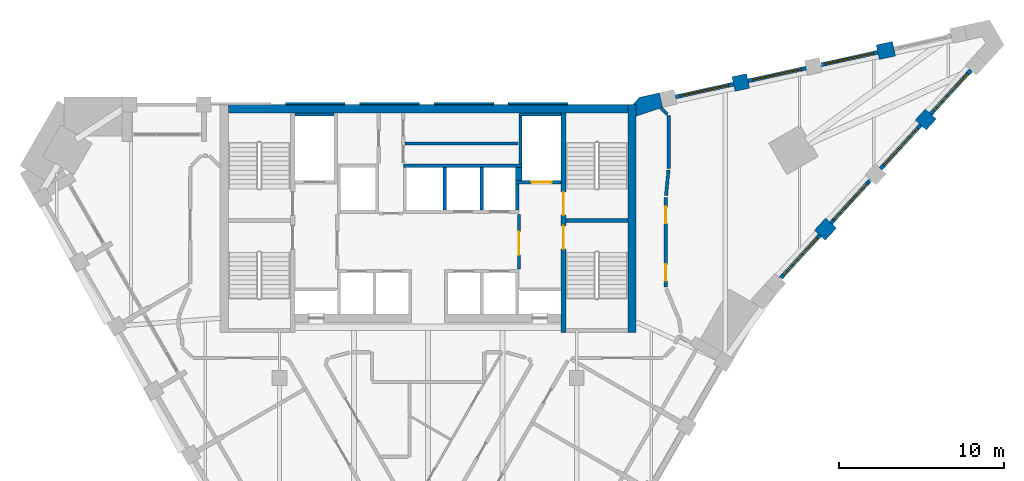
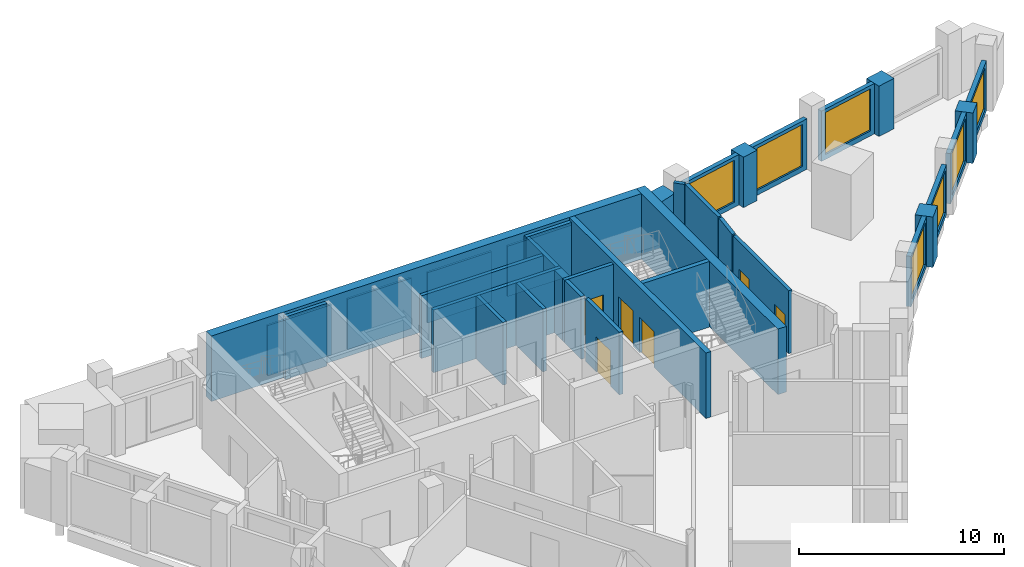
# One storey, part 6 of 8: 35 walls, 7 windows, 6 doors, 13 openings.
"""IFC4 building model written with IfcOpenShell, lengths in metres."""

from ifc_helpers import new_model, si_unit, direction, frame, frame_2d, origin, place, context, subcontext, project, spatial, polyline, rectangle, outline, extrude, material, layer, layer_set, type_object, element, fill, save


model = new_model("IFC4")

# Units and contexts
model_context = context("Model", 3, precision=1e-05, world=origin(), true_north=direction((0.0, 1.0)))
body_context = subcontext(model_context, "Body", "Model", "MODEL_VIEW")
ifc_project = project(units=[si_unit("LENGTHUNIT", "METRE"), si_unit("AREAUNIT", "SQUARE_METRE"), si_unit("VOLUMEUNIT", "CUBIC_METRE"), si_unit("PLANEANGLEUNIT", "RADIAN"), si_unit("MASSUNIT", "GRAM", prefix="KILO")], contexts=[model_context])

# Site, building, storey
site_placement = place(None, origin())
site = spatial("IfcSite", under=ifc_project, at=site_placement, CompositionType="ELEMENT")
building_placement = place(site_placement, origin())
building = spatial("IfcBuilding", under=site, at=building_placement, Name="Calabash Gate Tower", CompositionType="ELEMENT")
storey_placement = place(building_placement, frame((0.0, 0.0, 259.89990234375)))
storey = spatial("IfcBuildingStorey", under=building, at=storey_placement, Name="L62", CompositionType="ELEMENT", Elevation=259.89990234375)

# Walls
ifc_material_1 = material(Name="Terracotta brick masonry, exposed face", Category="masonry")
ifc_layer_1 = layer(ifc_material_1, 0.89990234375)
ifc_layer_set_1 = layer_set([ifc_layer_1], Name="Brick end wall 900")
wall_type_1 = type_object("IfcWallType", Name="Brick end wall 900", PredefinedType="SOLIDWALL", material=ifc_layer_set_1)
wall_1_placement = place(storey_placement, frame((23.728515625, 11.135009765625, 0.0), z_axis=(0.0, 0.0, 1.0), x_axis=(0.674788120713, 0.738011512203, 0.0)))
element("IfcWall", 1, at=wall_1_placement, inside=storey, type_object=wall_type_1, Name="Brick pier S18 wedge3.1", PredefinedType="SOLIDWALL", context=body_context, shape_type="SweptSolid", body=[
    extrude(rectangle(XDim=1.00390625, YDim=0.89990234375, at=frame_2d((0.501953125, 0.0))), origin(), (0.0, 0.0, 1.0), 3.0),
])
wall_2_placement = place(storey_placement, frame((30.44482421875, 18.47900390625, 0.0), z_axis=(0.0, 0.0, 1.0), x_axis=(-0.674938051731, -0.737874397391, 0.0)))
element("IfcWall", 2, at=wall_2_placement, inside=storey, type_object=wall_type_1, Name="Brick pier S18 wedge3.3", PredefinedType="SOLIDWALL", context=body_context, shape_type="SweptSolid", body=[
    extrude(rectangle(XDim=0.89990234375, YDim=0.89990234375, at=frame_2d((0.449951171875, 0.0))), origin(), (0.0, 0.0, 1.0), 3.0),
])
wall_3_placement = place(storey_placement, frame((28.21728515625, 22.436279296875, 0.0), z_axis=(0.0, 0.0, 1.0), x_axis=(-0.97656888558, -0.215205045752, 0.0)))
element("IfcWall", 3, at=wall_3_placement, inside=storey, type_object=wall_type_1, Name="Brick pier S18 wedge5.1", PredefinedType="SOLIDWALL", context=body_context, shape_type="SweptSolid", body=[
    extrude(rectangle(XDim=1.00390625, YDim=0.89990234375, at=frame_2d((0.501953125, 0.0))), origin(), (0.0, 0.0, 1.0), 3.0),
])
wall_4_placement = place(storey_placement, frame((18.4990234375, 20.2919921875, 0.0), z_axis=(0.0, 0.0, 1.0), x_axis=(0.976473402733, 0.215637876437, 0.0)))
element("IfcWall", 4, at=wall_4_placement, inside=storey, type_object=wall_type_1, Name="Brick pier S18 wedge5.3", PredefinedType="SOLIDWALL", context=body_context, shape_type="SweptSolid", body=[
    extrude(rectangle(XDim=0.900146484375, YDim=0.89990234375, at=frame_2d((0.4501953125, 0.0))), origin(), (0.0, 0.0, 1.0), 3.0),
])
wall_5_placement = place(storey_placement, origin())
element("IfcWall", 5, at=wall_5_placement, inside=storey, type_object=wall_type_1, Name="Brick end wall S18 3", PredefinedType="SOLIDWALL", context=body_context, shape_type="SweptSolid", body=[
    extrude(outline(polyline([(14.201416015625, 18.883056640625), (14.0078125, 19.761962890625), (12.784423828125, 19.491943359375), (12.410400390625, 19.052490234375), (12.60009765625, 19.052490234375), (12.60009765625, 18.351806640625), (14.201416015625, 18.883056640625)])), origin(), (0.0, 0.0, 1.0), 3.0),
])
ifc_material_2 = material(Name="Concrete C60/75", Category="concrete")
ifc_layer_2 = layer(ifc_material_2, 0.25)
ifc_layer_set_2 = layer_set([ifc_layer_2], Name="Core wall 250 Concrete C60/75")
wall_type_2 = type_object("IfcWallType", Name="Core wall 250 Concrete C60/75", PredefinedType="SHEAR", material=ifc_layer_set_2)
wall_6_placement = place(storey_placement, frame((8.35009765625, 12.027587890625, 0.0), z_axis=(0.0, 0.0, 1.0), x_axis=(1.0, 0.0, 0.0)))
element("IfcWall", 6, at=wall_6_placement, inside=storey, type_object=wall_type_2, Name="Core wall Z5-MIDE L62", PredefinedType="SHEAR", context=body_context, shape_type="SweptSolid", body=[
    extrude(rectangle(XDim=3.75, YDim=0.25, at=frame_2d((1.875, 0.0))), origin(), (0.0, 0.0, 1.0), 3.900146484375),
])

# Wall, openings, doors
ifc_material_3 = material(Name="Concrete C60/75", Category="concrete")
ifc_layer_3 = layer(ifc_material_3, 0.300048828125)
ifc_layer_set_3 = layer_set([ifc_layer_3], Name="Core wall 300 Concrete C60/75")
wall_type_3 = type_object("IfcWallType", Name="Core wall 300 Concrete C60/75", PredefinedType="SHEAR", material=ifc_layer_set_3)
wall_7_placement = place(storey_placement, frame((8.199951171875, 5.252685546875, 0.0), z_axis=(0.0, 0.0, 1.0), x_axis=(0.0, 1.0, 0.0)))
wall_7 = element("IfcWall", 7, at=wall_7_placement, inside=storey, type_object=wall_type_3, Name="Core wall Z5-PARTE L62", PredefinedType="SHEAR", context=body_context, shape_type="SweptSolid", body=[
    extrude(rectangle(XDim=13.2998046875, YDim=0.300048828125, at=frame_2d((6.64990234375, 0.0))), origin(), (0.0, 0.0, 1.0), 3.900146484375),
])
opening_1_placement = place(wall_7_placement, frame((7.10009765625, 0.0, 0.0)))
opening_1 = element("IfcOpeningElement", 8, at=opening_1_placement, cuts=wall_7, Name="Opening O10-011", PredefinedType="OPENING", context=body_context, shape_type="SweptSolid", body=[
    extrude(rectangle(XDim=1.39990234375, YDim=2.10009765625, at=frame_2d((0.699951171875, 1.050048828125))), frame((0.0, 0.159912109375, 0.0), z_axis=(0.0, -1.0, 0.0), x_axis=(1.0, 0.0, 0.0)), (0.0, 0.0, 1.0), 0.320068359375),
])
opening_2_placement = place(wall_7_placement, frame((5.050048828125, 0.0, 0.0)))
opening_2 = element("IfcOpeningElement", 9, at=opening_2_placement, cuts=wall_7, Name="Opening O10-012", PredefinedType="OPENING", context=body_context, shape_type="SweptSolid", body=[
    extrude(rectangle(XDim=1.39990234375, YDim=2.10009765625, at=frame_2d((0.699951171875, 1.050048828125))), frame((0.0, 0.159912109375, 0.0), z_axis=(0.0, -1.0, 0.0), x_axis=(1.0, 0.0, 0.0)), (0.0, 0.0, 1.0), 0.320068359375),
])
ifc_material_4 = material(Name="Steel fire door set with fire-resisting glazing", Category="steel")
door_type_1 = type_object("IfcDoorType", Name="Fire door D05 1400x2100 FD90", OperationType="NOTDEFINED", PredefinedType="DOOR", material=ifc_material_4)
door_1_placement = place(opening_1_placement, origin())
door_1 = element("IfcDoor", 10, at=door_1_placement, inside=storey, type_object=door_type_1, Name="Exit stair door ST3", OperationType="SINGLE_SWING_RIGHT", OverallHeight=2.10009765625, OverallWidth=1.39990234375, PredefinedType="DOOR", context=body_context, shape_type="SweptSolid", body=[
    extrude(rectangle(XDim=1.39990234375, YDim=2.10009765625, at=frame_2d((0.699951171875, 1.050048828125))), frame((0.0, 0.02490234375, 0.0), z_axis=(0.0, -1.0, 0.0), x_axis=(1.0, 0.0, 0.0)), (0.0, 0.0, 1.0), 0.050048828125),
])
fill(opening_1, door_1)
door_2_placement = place(opening_2_placement, origin())
door_2 = element("IfcDoor", 11, at=door_2_placement, inside=storey, type_object=door_type_1, Name="Exit stair door ST4", OperationType="SINGLE_SWING_LEFT", OverallHeight=2.10009765625, OverallWidth=1.39990234375, PredefinedType="DOOR", context=body_context, shape_type="SweptSolid", body=[
    extrude(rectangle(XDim=1.39990234375, YDim=2.10009765625, at=frame_2d((0.699951171875, 1.050048828125))), frame((0.0, 0.02490234375, 0.0), z_axis=(0.0, -1.0, 0.0), x_axis=(1.0, 0.0, 0.0)), (0.0, 0.0, 1.0), 0.050048828125),
])
fill(opening_2, door_2)

# Walls
ifc_material_5 = material(Name="Concrete C60/75", Category="concrete")
ifc_layer_4 = layer(ifc_material_5, 0.5)
ifc_layer_set_4 = layer_set([ifc_layer_4], Name="Core wall 500 Concrete C60/75")
wall_type_4 = type_object("IfcWallType", Name="Core wall 500 Concrete C60/75", PredefinedType="SHEAR", material=ifc_layer_set_4)
wall_8_placement = place(storey_placement, frame((-12.10009765625, 18.802490234375, 0.0), z_axis=(0.0, 0.0, 1.0), x_axis=(1.0, 0.0, 0.0)))
element("IfcWall", 12, at=wall_8_placement, inside=storey, type_object=wall_type_4, Name="Core wall Z5-N L62", PredefinedType="SHEAR", context=body_context, shape_type="SweptSolid", body=[
    extrude(rectangle(XDim=24.2001953125, YDim=0.5, at=frame_2d((12.10009765625, 0.0))), origin(), (0.0, 0.0, 1.0), 3.900146484375),
])
wall_9_placement = place(storey_placement, frame((12.35009765625, 5.252685546875, 0.0), z_axis=(0.0, 0.0, 1.0), x_axis=(0.0, 1.0, 0.0)))
element("IfcWall", 13, at=wall_9_placement, inside=storey, type_object=wall_type_4, Name="Core wall Z5-COLE L62", PredefinedType="SHEAR", context=body_context, shape_type="SweptSolid", body=[
    extrude(rectangle(XDim=13.7998046875, YDim=0.5, at=frame_2d((6.89990234375, 0.0))), origin(), (0.0, 0.0, 1.0), 3.900146484375),
])

# Wall, openings, doors
ifc_material_6 = material(Name="Gypsum board on steel studs, mineral wool", Category="steel")
ifc_layer_5 = layer(ifc_material_6, 0.199951171875)
ifc_layer_set_5 = layer_set([ifc_layer_5], Name="Partition 200 gypsum board EI 60")
wall_type_5 = type_object("IfcWallType", Name="Partition 200 gypsum board EI 60", PredefinedType="PARTITIONING", material=ifc_layer_set_5)
wall_10_placement = place(storey_placement, frame((14.400390625, 8.017333984375, 0.0), z_axis=(0.0, 0.0, 1.0), x_axis=(0.0, 1.0, 0.0)))
wall_10 = element("IfcWall", 14, at=wall_10_placement, inside=storey, type_object=wall_type_5, Name="Partition", PredefinedType="PARTITIONING", context=body_context, shape_type="SweptSolid", body=[
    extrude(rectangle(XDim=5.419189453125, YDim=0.199951171875, at=frame_2d((2.70947265625, 0.0))), origin(), (0.0, 0.0, 1.0), 3.72998046875),
])
opening_3_placement = place(wall_10_placement, frame((3.83544921875, 0.0, 0.0)))
opening_3 = element("IfcOpeningElement", 15, at=opening_3_placement, cuts=wall_10, Name="Opening 62-64-008", PredefinedType="OPENING", context=body_context, shape_type="SweptSolid", body=[
    extrude(rectangle(XDim=1.0, YDim=2.10009765625, at=frame_2d((0.5, 1.050048828125))), frame((0.0, 0.10986328125, 0.0), z_axis=(0.0, -1.0, 0.0), x_axis=(1.0, 0.0, 0.0)), (0.0, 0.0, 1.0), 0.219970703125),
])
opening_4_placement = place(wall_10_placement, frame((0.35009765625, 0.0, 0.0)))
opening_4 = element("IfcOpeningElement", 16, at=opening_4_placement, cuts=wall_10, Name="Opening 62-64-009", PredefinedType="OPENING", context=body_context, shape_type="SweptSolid", body=[
    extrude(rectangle(XDim=1.0, YDim=2.10009765625, at=frame_2d((0.5, 1.050048828125))), frame((0.0, 0.10986328125, 0.0), z_axis=(0.0, -1.0, 0.0), x_axis=(1.0, 0.0, 0.0)), (0.0, 0.0, 1.0), 0.219970703125),
])
ifc_material_7 = material(Name="Steel fire door set with fire-resisting glazing", Category="steel")
door_type_2 = type_object("IfcDoorType", Name="LD2 Meeting room door 1000x2100", OperationType="NOTDEFINED", PredefinedType="DOOR", material=ifc_material_7)
door_3_placement = place(opening_3_placement, origin())
door_3 = element("IfcDoor", 17, at=door_3_placement, inside=storey, type_object=door_type_2, Name="Meeting room door", OperationType="SINGLE_SWING_RIGHT", OverallHeight=2.10009765625, OverallWidth=1.0, PredefinedType="DOOR", context=body_context, shape_type="SweptSolid", body=[
    extrude(rectangle(XDim=1.0, YDim=2.10009765625, at=frame_2d((0.5, 1.050048828125))), frame((0.0, 0.02490234375, 0.0), z_axis=(0.0, -1.0, 0.0), x_axis=(1.0, 0.0, 0.0)), (0.0, 0.0, 1.0), 0.050048828125),
])
fill(opening_3, door_3)
door_4_placement = place(opening_4_placement, origin())
door_4 = element("IfcDoor", 18, at=door_4_placement, inside=storey, type_object=door_type_2, Name="Meeting room door", OperationType="SINGLE_SWING_LEFT", OverallHeight=2.10009765625, OverallWidth=1.0, PredefinedType="DOOR", context=body_context, shape_type="SweptSolid", body=[
    extrude(rectangle(XDim=1.0, YDim=2.10009765625, at=frame_2d((0.5, 1.050048828125))), frame((0.0, 0.02490234375, 0.0), z_axis=(0.0, -1.0, 0.0), x_axis=(1.0, 0.0, 0.0)), (0.0, 0.0, 1.0), 0.050048828125),
])
fill(opening_4, door_4)

# Walls
wall_11_placement = place(storey_placement, frame((14.409912109375, 13.5361328125, 0.0), z_axis=(0.0, 0.0, 1.0), x_axis=(0.094453682086, 0.9955292572, 0.0)))
element("IfcWall", 19, at=wall_11_placement, inside=storey, type_object=wall_type_5, Name="Partition", PredefinedType="PARTITIONING", context=body_context, shape_type="SweptSolid", body=[
    extrude(rectangle(XDim=1.555908203125, YDim=0.199951171875, at=frame_2d((0.77783203125, 0.0))), origin(), (0.0, 0.0, 1.0), 3.72998046875),
])
wall_12_placement = place(storey_placement, frame((14.566162109375, 18.392578125, 0.0), z_axis=(0.0, 0.0, 1.0), x_axis=(0.0, -1.0, 0.0)))
element("IfcWall", 20, at=wall_12_placement, inside=storey, type_object=wall_type_5, Name="Partition", PredefinedType="PARTITIONING", context=body_context, shape_type="SweptSolid", body=[
    extrude(rectangle(XDim=3.2080078125, YDim=0.199951171875, at=frame_2d((1.60400390625, 0.0))), origin(), (0.0, 0.0, 1.0), 3.72998046875),
])
wall_13_placement = place(storey_placement, frame((14.107177734375, 18.851806640625, 0.0), z_axis=(0.0, 0.0, 1.0), x_axis=(0.707106781187, -0.707106781187, 0.0)))
element("IfcWall", 21, at=wall_13_placement, inside=storey, type_object=wall_type_5, Name="Partition", PredefinedType="PARTITIONING", context=body_context, shape_type="SweptSolid", body=[
    extrude(rectangle(XDim=0.54931640625, YDim=0.199951171875, at=frame_2d((0.274658203125, 0.0))), origin(), (0.0, 0.0, 1.0), 3.72998046875),
])

# Wall, opening, window
ifc_material_8 = material(Name="Aluminium framed window wall with insulated spandrel", Category="aluminium")
ifc_layer_6 = layer(ifc_material_8, 0.25)
ifc_layer_set_6 = layer_set([ifc_layer_6], Name="Prow window wall 250")
wall_type_6 = type_object("IfcWallType", Name="Prow window wall 250", PredefinedType="ELEMENTEDWALL", material=ifc_layer_set_6)
wall_14_placement = place(storey_placement, frame((21.367919921875, 8.5537109375, 0.0), z_axis=(0.0, 0.0, 1.0), x_axis=(0.67487449122, 0.737932531537, 0.0)))
wall_14 = element("IfcWall", 22, at=wall_14_placement, inside=storey, type_object=wall_type_6, Name="Prow window wall S18 wedge3.1", PredefinedType="ELEMENTEDWALL", context=body_context, shape_type="SweptSolid", body=[
    extrude(rectangle(XDim=3.5, YDim=0.25, at=frame_2d((1.75, 0.0))), origin(), (0.0, 0.0, 1.0), 3.0),
])
opening_5_placement = place(wall_14_placement, frame((0.25, 0.0, 0.300048828125)))
opening_5 = element("IfcOpeningElement", 23, at=opening_5_placement, cuts=wall_14, Name="Opening WP2", PredefinedType="OPENING", context=body_context, shape_type="SweptSolid", body=[
    extrude(rectangle(XDim=3.0, YDim=2.5, at=frame_2d((1.5, 1.25))), frame((0.0, 0.135009765625, 0.0), z_axis=(0.0, -1.0, 0.0), x_axis=(1.0, 0.0, 0.0)), (0.0, 0.0, 1.0), 0.27001953125),
])
ifc_material_9 = material(Name="Anodised aluminium frame, bronze finish, impact-rated laminated clear glazing", Category="aluminium")
window_type = type_object("IfcWindowType", Name="Window WP2 3000x2500", PartitioningType="DOUBLE_PANEL_VERTICAL", PredefinedType="WINDOW", material=ifc_material_9)
window_1_placement = place(opening_5_placement, origin())
window_1 = element("IfcWindow", 24, at=window_1_placement, inside=storey, type_object=window_type, Name="Prow window WP2 S18 wedge3.1", OverallHeight=2.5, OverallWidth=3.0, PartitioningType="SINGLE_PANEL", PredefinedType="WINDOW", context=body_context, shape_type="SweptSolid", body=[
    extrude(rectangle(XDim=3.0, YDim=2.5, at=frame_2d((1.5, 1.25))), frame((0.0, 0.030029296875, 0.0), z_axis=(0.0, -1.0, 0.0), x_axis=(1.0, 0.0, 0.0)), (0.0, 0.0, 1.0), 0.06005859375),
])
fill(opening_5, window_1)

wall_15_placement = place(storey_placement, frame((24.40478515625, 11.87451171875, 0.0), z_axis=(0.0, 0.0, 1.0), x_axis=(0.67487449122, 0.737932531537, 0.0)))
wall_15 = element("IfcWall", 25, at=wall_15_placement, inside=storey, type_object=wall_type_6, Name="Prow window wall S18 wedge3.2", PredefinedType="ELEMENTEDWALL", context=body_context, shape_type="SweptSolid", body=[
    extrude(rectangle(XDim=3.5, YDim=0.25, at=frame_2d((1.75, 0.0))), origin(), (0.0, 0.0, 1.0), 3.0),
])
opening_6_placement = place(wall_15_placement, frame((0.25, 0.0, 0.300048828125)))
opening_6 = element("IfcOpeningElement", 26, at=opening_6_placement, cuts=wall_15, Name="Opening WP2", PredefinedType="OPENING", context=body_context, shape_type="SweptSolid", body=[
    extrude(rectangle(XDim=3.0, YDim=2.5, at=frame_2d((1.5, 1.25))), frame((0.0, 0.135009765625, 0.0), z_axis=(0.0, -1.0, 0.0), x_axis=(1.0, 0.0, 0.0)), (0.0, 0.0, 1.0), 0.27001953125),
])
window_2_placement = place(opening_6_placement, origin())
window_2 = element("IfcWindow", 27, at=window_2_placement, inside=storey, type_object=window_type, Name="Prow window WP2 S18 wedge3.2", OverallHeight=2.5, OverallWidth=3.0, PartitioningType="SINGLE_PANEL", PredefinedType="WINDOW", context=body_context, shape_type="SweptSolid", body=[
    extrude(rectangle(XDim=3.0, YDim=2.5, at=frame_2d((1.5, 1.25))), frame((0.0, 0.030029296875, 0.0), z_axis=(0.0, -1.0, 0.0), x_axis=(1.0, 0.0, 0.0)), (0.0, 0.0, 1.0), 0.06005859375),
])
fill(opening_6, window_2)

wall_16_placement = place(storey_placement, frame((27.407958984375, 15.158203125, 0.0), z_axis=(0.0, 0.0, 1.0), x_axis=(0.674833575111, 0.737969949187, 0.0)))
wall_16 = element("IfcWall", 28, at=wall_16_placement, inside=storey, type_object=wall_type_6, Name="Prow window wall S18 wedge3.3", PredefinedType="ELEMENTEDWALL", context=body_context, shape_type="SweptSolid", body=[
    extrude(rectangle(XDim=3.60009765625, YDim=0.25, at=frame_2d((1.800048828125, 0.0))), origin(), (0.0, 0.0, 1.0), 3.0),
])
opening_7_placement = place(wall_16_placement, frame((0.300048828125, 0.0, 0.300048828125)))
opening_7 = element("IfcOpeningElement", 29, at=opening_7_placement, cuts=wall_16, Name="Opening WP2", PredefinedType="OPENING", context=body_context, shape_type="SweptSolid", body=[
    extrude(rectangle(XDim=3.0, YDim=2.5, at=frame_2d((1.5, 1.25))), frame((0.0, 0.135009765625, 0.0), z_axis=(0.0, -1.0, 0.0), x_axis=(1.0, 0.0, 0.0)), (0.0, 0.0, 1.0), 0.27001953125),
])
window_3_placement = place(opening_7_placement, origin())
window_3 = element("IfcWindow", 30, at=window_3_placement, inside=storey, type_object=window_type, Name="Prow window WP2 S18 wedge3.3", OverallHeight=2.5, OverallWidth=3.0, PartitioningType="SINGLE_PANEL", PredefinedType="WINDOW", context=body_context, shape_type="SweptSolid", body=[
    extrude(rectangle(XDim=3.0, YDim=2.5, at=frame_2d((1.5, 1.25))), frame((0.0, 0.030029296875, 0.0), z_axis=(0.0, -1.0, 0.0), x_axis=(1.0, 0.0, 0.0)), (0.0, 0.0, 1.0), 0.06005859375),
])
fill(opening_7, window_3)

wall_17_placement = place(storey_placement, frame((30.44482421875, 18.47900390625, 0.0), z_axis=(0.0, 0.0, 1.0), x_axis=(0.674833575111, 0.737969949187, 0.0)))
wall_17 = element("IfcWall", 31, at=wall_17_placement, inside=storey, type_object=wall_type_6, Name="Prow window wall S18 wedge3.4", PredefinedType="ELEMENTEDWALL", context=body_context, shape_type="SweptSolid", body=[
    extrude(rectangle(XDim=3.60009765625, YDim=0.25, at=frame_2d((1.800048828125, 0.0))), origin(), (0.0, 0.0, 1.0), 3.0),
])
opening_8_placement = place(wall_17_placement, frame((0.300048828125, 0.0, 0.300048828125)))
opening_8 = element("IfcOpeningElement", 32, at=opening_8_placement, cuts=wall_17, Name="Opening WP2", PredefinedType="OPENING", context=body_context, shape_type="SweptSolid", body=[
    extrude(rectangle(XDim=3.0, YDim=2.5, at=frame_2d((1.5, 1.25))), frame((0.0, 0.135009765625, 0.0), z_axis=(0.0, -1.0, 0.0), x_axis=(1.0, 0.0, 0.0)), (0.0, 0.0, 1.0), 0.27001953125),
])
window_4_placement = place(opening_8_placement, origin())
window_4 = element("IfcWindow", 33, at=window_4_placement, inside=storey, type_object=window_type, Name="Prow window WP2 S18 wedge3.4", OverallHeight=2.5, OverallWidth=3.0, PartitioningType="SINGLE_PANEL", PredefinedType="WINDOW", context=body_context, shape_type="SweptSolid", body=[
    extrude(rectangle(XDim=3.0, YDim=2.5, at=frame_2d((1.5, 1.25))), frame((0.0, 0.030029296875, 0.0), z_axis=(0.0, -1.0, 0.0), x_axis=(1.0, 0.0, 0.0)), (0.0, 0.0, 1.0), 0.06005859375),
])
fill(opening_8, window_4)

wall_18_placement = place(storey_placement, frame((27.23876953125, 22.220458984375, 0.0), z_axis=(0.0, 0.0, 1.0), x_axis=(-0.976509313763, -0.215475196101, 0.0)))
wall_18 = element("IfcWall", 34, at=wall_18_placement, inside=storey, type_object=wall_type_6, Name="Prow window wall S18 wedge5.2", PredefinedType="ELEMENTEDWALL", context=body_context, shape_type="SweptSolid", body=[
    extrude(rectangle(XDim=3.5, YDim=0.25, at=frame_2d((1.75, 0.0))), origin(), (0.0, 0.0, 1.0), 3.0),
])
opening_9_placement = place(wall_18_placement, frame((0.25, 0.0, 0.300048828125)))
opening_9 = element("IfcOpeningElement", 35, at=opening_9_placement, cuts=wall_18, Name="Opening WP2", PredefinedType="OPENING", context=body_context, shape_type="SweptSolid", body=[
    extrude(rectangle(XDim=3.0, YDim=2.5, at=frame_2d((1.5, 1.25))), frame((0.0, 0.135009765625, 0.0), z_axis=(0.0, -1.0, 0.0), x_axis=(1.0, 0.0, 0.0)), (0.0, 0.0, 1.0), 0.27001953125),
])
window_5_placement = place(opening_9_placement, origin())
window_5 = element("IfcWindow", 36, at=window_5_placement, inside=storey, type_object=window_type, Name="Prow window WP2 S18 wedge5.2", OverallHeight=2.5, OverallWidth=3.0, PartitioningType="SINGLE_PANEL", PredefinedType="WINDOW", context=body_context, shape_type="SweptSolid", body=[
    extrude(rectangle(XDim=3.0, YDim=2.5, at=frame_2d((1.5, 1.25))), frame((0.0, 0.030029296875, 0.0), z_axis=(0.0, -1.0, 0.0), x_axis=(1.0, 0.0, 0.0)), (0.0, 0.0, 1.0), 0.06005859375),
])
fill(opening_9, window_5)

wall_19_placement = place(storey_placement, frame((22.893310546875, 21.26171875, 0.0), z_axis=(0.0, 0.0, 1.0), x_axis=(-0.976513072969, -0.215458159096, 0.0)))
wall_19 = element("IfcWall", 37, at=wall_19_placement, inside=storey, type_object=wall_type_6, Name="Prow window wall S18 wedge5.3", PredefinedType="ELEMENTEDWALL", context=body_context, shape_type="SweptSolid", body=[
    extrude(rectangle(XDim=3.599853515625, YDim=0.25, at=frame_2d((1.7998046875, 0.0))), origin(), (0.0, 0.0, 1.0), 3.0),
])
opening_10_placement = place(wall_19_placement, frame((0.300048828125, 0.0, 0.300048828125)))
opening_10 = element("IfcOpeningElement", 38, at=opening_10_placement, cuts=wall_19, Name="Opening WP2", PredefinedType="OPENING", context=body_context, shape_type="SweptSolid", body=[
    extrude(rectangle(XDim=3.0, YDim=2.5, at=frame_2d((1.5, 1.25))), frame((0.0, 0.135009765625, 0.0), z_axis=(0.0, -1.0, 0.0), x_axis=(1.0, 0.0, 0.0)), (0.0, 0.0, 1.0), 0.27001953125),
])
window_6_placement = place(opening_10_placement, origin())
window_6 = element("IfcWindow", 39, at=window_6_placement, inside=storey, type_object=window_type, Name="Prow window WP2 S18 wedge5.3", OverallHeight=2.5, OverallWidth=3.0, PartitioningType="SINGLE_PANEL", PredefinedType="WINDOW", context=body_context, shape_type="SweptSolid", body=[
    extrude(rectangle(XDim=3.0, YDim=2.5, at=frame_2d((1.5, 1.25))), frame((0.0, 0.030029296875, 0.0), z_axis=(0.0, -1.0, 0.0), x_axis=(1.0, 0.0, 0.0)), (0.0, 0.0, 1.0), 0.06005859375),
])
fill(opening_10, window_6)

wall_20_placement = place(storey_placement, frame((18.4990234375, 20.2919921875, 0.0), z_axis=(0.0, 0.0, 1.0), x_axis=(-0.976513072969, -0.215458159096, 0.0)))
wall_20 = element("IfcWall", 40, at=wall_20_placement, inside=storey, type_object=wall_type_6, Name="Prow window wall S18 wedge5.4", PredefinedType="ELEMENTEDWALL", context=body_context, shape_type="SweptSolid", body=[
    extrude(rectangle(XDim=3.599853515625, YDim=0.25, at=frame_2d((1.7998046875, 0.0))), origin(), (0.0, 0.0, 1.0), 3.0),
])
opening_11_placement = place(wall_20_placement, frame((0.300048828125, 0.0, 0.300048828125)))
opening_11 = element("IfcOpeningElement", 41, at=opening_11_placement, cuts=wall_20, Name="Opening WP2", PredefinedType="OPENING", context=body_context, shape_type="SweptSolid", body=[
    extrude(rectangle(XDim=3.0, YDim=2.5, at=frame_2d((1.5, 1.25))), frame((0.0, 0.135009765625, 0.0), z_axis=(0.0, -1.0, 0.0), x_axis=(1.0, 0.0, 0.0)), (0.0, 0.0, 1.0), 0.27001953125),
])
window_7_placement = place(opening_11_placement, origin())
window_7 = element("IfcWindow", 42, at=window_7_placement, inside=storey, type_object=window_type, Name="Prow window WP2 S18 wedge5.4", OverallHeight=2.5, OverallWidth=3.0, PartitioningType="SINGLE_PANEL", PredefinedType="WINDOW", context=body_context, shape_type="SweptSolid", body=[
    extrude(rectangle(XDim=3.0, YDim=2.5, at=frame_2d((1.5, 1.25))), frame((0.0, 0.030029296875, 0.0), z_axis=(0.0, -1.0, 0.0), x_axis=(1.0, 0.0, 0.0)), (0.0, 0.0, 1.0), 0.06005859375),
])
fill(opening_11, window_7)

# Wall, opening, door
ifc_material_10 = material(Name="Concrete C40/50", Category="concrete")
ifc_layer_7 = layer(ifc_material_10, 0.199951171875)
ifc_layer_set_7 = layer_set([ifc_layer_7], Name="Shaft wall 200 Concrete C40/50")
wall_type_7 = type_object("IfcWallType", Name="Shaft wall 200 Concrete C40/50", PredefinedType="SOLIDWALL", material=ifc_layer_set_7)
wall_21_placement = place(storey_placement, frame((5.5, 9.1025390625, 0.0), z_axis=(0.0, 0.0, 1.0), x_axis=(0.0, 1.0, 0.0)))
wall_21 = element("IfcWall", 43, at=wall_21_placement, inside=storey, type_object=wall_type_7, Name="Shaft wall", PredefinedType="SOLIDWALL", context=body_context, shape_type="SweptSolid", body=[
    extrude(rectangle(XDim=3.300048828125, YDim=0.199951171875, at=frame_2d((1.64990234375, 0.0))), origin(), (0.0, 0.0, 1.0), 3.72998046875),
])
opening_12_placement = place(wall_21_placement, frame((0.85009765625, 0.0, 0.0)))
opening_12 = element("IfcOpeningElement", 44, at=opening_12_placement, cuts=wall_21, Name="Opening O10-002", PredefinedType="OPENING", context=body_context, shape_type="SweptSolid", body=[
    extrude(rectangle(XDim=1.39990234375, YDim=2.10009765625, at=frame_2d((0.699951171875, 1.050048828125))), frame((0.0, 0.10986328125, 0.0), z_axis=(0.0, -1.0, 0.0), x_axis=(1.0, 0.0, 0.0)), (0.0, 0.0, 1.0), 0.219970703125),
])
door_5_placement = place(opening_12_placement, origin())
door_5 = element("IfcDoor", 45, at=door_5_placement, inside=storey, type_object=door_type_1, Name="Firefighting Lobby E door", OperationType="SINGLE_SWING_LEFT", OverallHeight=2.10009765625, OverallWidth=1.39990234375, PredefinedType="DOOR", context=body_context, shape_type="SweptSolid", body=[
    extrude(rectangle(XDim=1.39990234375, YDim=2.10009765625, at=frame_2d((0.699951171875, 1.050048828125))), frame((0.0, 0.02490234375, 0.0), z_axis=(0.0, -1.0, 0.0), x_axis=(1.0, 0.0, 0.0)), (0.0, 0.0, 1.0), 0.050048828125),
])
fill(opening_12, door_5)

# Walls
for number, where, z_axis, x_axis, name in (
    (46, (1.0, 12.652587890625, 0.0), (0.0, 0.0, 1.0), (0.0, 1.0, 0.0), "Shaft wall"),
    (47, (3.25, 12.652587890625, 0.0), (0.0, 0.0, 1.0), (0.0, 1.0, 0.0), "Shaft wall"),
):
    element("IfcWall", number, at=place(storey_placement, frame(where, z_axis=z_axis, x_axis=x_axis)), inside=storey, type_object=wall_type_7, Name=name, PredefinedType="SOLIDWALL", context=body_context, shape_type="SweptSolid", body=[
        extrude(rectangle(XDim=2.60009765625, YDim=0.199951171875, at=frame_2d((1.300048828125, 0.0))), origin(), (0.0, 0.0, 1.0), 3.72998046875),
    ])
wall_22_placement = place(storey_placement, frame((5.39990234375, 12.652587890625, 0.0), z_axis=(0.0, 0.0, 1.0), x_axis=(0.0, 1.0, 0.0)))
element("IfcWall", 48, at=wall_22_placement, inside=storey, type_object=wall_type_7, Name="Shaft wall", PredefinedType="SOLIDWALL", context=body_context, shape_type="SweptSolid", body=[
    extrude(rectangle(XDim=1.60009765625, YDim=0.199951171875, at=frame_2d((0.800048828125, 0.0))), origin(), (0.0, 0.0, 1.0), 3.72998046875),
])

# Wall, opening, door
wall_23_placement = place(storey_placement, frame((5.300048828125, 14.3525390625, 0.0), z_axis=(0.0, 0.0, 1.0), x_axis=(1.0, 0.0, 0.0)))
wall_23 = element("IfcWall", 49, at=wall_23_placement, inside=storey, type_object=wall_type_7, Name="Shaft wall", PredefinedType="SOLIDWALL", context=body_context, shape_type="SweptSolid", body=[
    extrude(rectangle(XDim=2.75, YDim=0.199951171875, at=frame_2d((1.375, 0.0))), origin(), (0.0, 0.0, 1.0), 3.72998046875),
])
opening_13_placement = place(wall_23_placement, frame((0.97509765625, 0.0, 0.0)))
opening_13 = element("IfcOpeningElement", 50, at=opening_13_placement, cuts=wall_23, Name="Opening LD-FF2", PredefinedType="OPENING", context=body_context, shape_type="SweptSolid", body=[
    extrude(rectangle(XDim=1.199951171875, YDim=2.10009765625, at=frame_2d((0.60009765625, 1.050048828125))), frame((0.0, 0.10986328125, 0.0), z_axis=(0.0, -1.0, 0.0), x_axis=(1.0, 0.0, 0.0)), (0.0, 0.0, 1.0), 0.219970703125),
])
ifc_material_11 = material(Name="Stainless steel sliding door leaves", Category="steel")
door_type_3 = type_object("IfcDoorType", Name="Lift landing door LS3 1200x2100 FD90", OperationType="DOUBLE_DOOR_SLIDING", PredefinedType="DOOR", material=ifc_material_11)
door_6_placement = place(opening_13_placement, origin())
door_6 = element("IfcDoor", 51, at=door_6_placement, inside=storey, type_object=door_type_3, Name="Lift landing door FF2", OperationType="DOUBLE_DOOR_SLIDING", OverallHeight=2.10009765625, OverallWidth=1.199951171875, PredefinedType="DOOR", context=body_context, shape_type="SweptSolid", body=[
    extrude(rectangle(XDim=1.199951171875, YDim=2.10009765625, at=frame_2d((0.60009765625, 1.050048828125))), frame((0.0, 0.02490234375, 0.0), z_axis=(0.0, -1.0, 0.0), x_axis=(1.0, 0.0, 0.0)), (0.0, 0.0, 1.0), 0.050048828125),
])
fill(opening_13, door_6)

# Walls
wall_24_placement = place(storey_placement, frame((5.5, 14.45263671875, 0.0), z_axis=(0.0, 0.0, 1.0), x_axis=(0.0, 1.0, 0.0)))
element("IfcWall", 52, at=wall_24_placement, inside=storey, type_object=wall_type_7, Name="Shaft wall", PredefinedType="SOLIDWALL", context=body_context, shape_type="SweptSolid", body=[
    extrude(rectangle(XDim=0.800048828125, YDim=0.39990234375, at=frame_2d((0.39990234375, 0.0))), origin(), (0.0, 0.0, 1.0), 3.72998046875),
])
wall_25_placement = place(storey_placement, frame((-1.5, 15.3525390625, 0.0), z_axis=(0.0, 0.0, 1.0), x_axis=(1.0, 0.0, 0.0)))
element("IfcWall", 53, at=wall_25_placement, inside=storey, type_object=wall_type_7, Name="Shaft wall", PredefinedType="SOLIDWALL", context=body_context, shape_type="SweptSolid", body=[
    extrude(rectangle(XDim=7.199951171875, YDim=0.199951171875, at=frame_2d((3.60009765625, 0.0))), origin(), (0.0, 0.0, 1.0), 3.72998046875),
])
wall_26_placement = place(storey_placement, frame((5.60009765625, 15.45263671875, 0.0), z_axis=(0.0, 0.0, 1.0), x_axis=(0.0, 1.0, 0.0)))
element("IfcWall", 54, at=wall_26_placement, inside=storey, type_object=wall_type_7, Name="Shaft wall", PredefinedType="SOLIDWALL", context=body_context, shape_type="SweptSolid", body=[
    extrude(rectangle(XDim=2.89990234375, YDim=0.199951171875, at=frame_2d((1.449951171875, 0.0))), origin(), (0.0, 0.0, 1.0), 3.72998046875),
])
wall_27_placement = place(storey_placement, frame((-1.39990234375, 16.692626953125, 0.0), z_axis=(0.0, 0.0, 1.0), x_axis=(1.0, 0.0, 0.0)))
element("IfcWall", 55, at=wall_27_placement, inside=storey, type_object=wall_type_7, Name="Shaft wall", PredefinedType="SOLIDWALL", context=body_context, shape_type="SweptSolid", body=[
    extrude(rectangle(XDim=6.849853515625, YDim=0.199951171875, at=frame_2d((3.4248046875, 0.0))), origin(), (0.0, 0.0, 1.0), 3.72998046875),
])
wall_28_placement = place(storey_placement, frame((-8.050048828125, 18.45263671875, 0.0), z_axis=(0.0, 0.0, 1.0), x_axis=(1.0, 0.0, 0.0)))
element("IfcWall", 56, at=wall_28_placement, inside=storey, type_object=wall_type_7, Name="Shaft wall", PredefinedType="SOLIDWALL", context=body_context, shape_type="SweptSolid", body=[
    extrude(rectangle(XDim=2.35009765625, YDim=0.199951171875, at=frame_2d((1.175048828125, 0.0))), origin(), (0.0, 0.0, 1.0), 3.72998046875),
])
wall_29_placement = place(storey_placement, frame((5.5, 18.45263671875, 0.0), z_axis=(0.0, 0.0, 1.0), x_axis=(1.0, 0.0, 0.0)))
element("IfcWall", 57, at=wall_29_placement, inside=storey, type_object=wall_type_7, Name="Shaft wall", PredefinedType="SOLIDWALL", context=body_context, shape_type="SweptSolid", body=[
    extrude(rectangle(XDim=2.550048828125, YDim=0.199951171875, at=frame_2d((1.27490234375, 0.0))), origin(), (0.0, 0.0, 1.0), 3.72998046875),
])
ifc_material_12 = material(Name="Terracotta brick masonry, perforated", Category="masonry")
ifc_layer_8 = layer(ifc_material_12, 0.1201171875)
ifc_layer_set_8 = layer_set([ifc_layer_8], Name="Terracotta jaali cladding B 120")
wall_type_8 = type_object("IfcWallType", Name="Terracotta jaali cladding B 120", PredefinedType="SOLIDWALL", material=ifc_layer_set_8)
wall_30_placement = place(storey_placement, origin())
element("IfcWall", 58, at=wall_30_placement, inside=storey, type_object=wall_type_8, Name="Jaali cladding S18 N6.1", PredefinedType="SOLIDWALL", context=body_context, shape_type="SweptSolid", body=[
    extrude(outline(polyline([(4.861572265625, 19.172607421875), (4.861572265625, 19.052490234375), (8.46142578125, 19.052490234375), (8.46142578125, 19.172607421875), (4.861572265625, 19.172607421875)])), origin(), (0.0, 0.0, 1.0), 3.0),
])
wall_31_placement = place(storey_placement, origin())
element("IfcWall", 59, at=wall_31_placement, inside=storey, type_object=wall_type_8, Name="Jaali cladding S18 N6.3", PredefinedType="SOLIDWALL", context=body_context, shape_type="SweptSolid", body=[
    extrude(outline(polyline([(-4.138427734375, 19.172607421875), (-4.138427734375, 19.052490234375), (-0.53857421875, 19.052490234375), (-0.53857421875, 19.172607421875), (-4.138427734375, 19.172607421875)])), origin(), (0.0, 0.0, 1.0), 3.0),
])
ifc_material_13 = material(Name="Terracotta louvre blades in an aluminium frame", Category="masonry")
ifc_layer_9 = layer(ifc_material_13, 0.1201171875)
ifc_layer_set_9 = layer_set([ifc_layer_9], Name="Terracotta vent louvre cladding 120")
wall_type_9 = type_object("IfcWallType", Name="Terracotta vent louvre cladding 120", PredefinedType="ELEMENTEDWALL", material=ifc_layer_set_9)
wall_32_placement = place(storey_placement, origin())
element("IfcWall", 60, at=wall_32_placement, inside=storey, type_object=wall_type_9, Name="Vent louvre cladding S18 N6.2", PredefinedType="ELEMENTEDWALL", context=body_context, shape_type="SweptSolid", body=[
    extrude(outline(polyline([(0.361572265625, 19.172607421875), (0.361572265625, 19.052490234375), (3.96142578125, 19.052490234375), (3.96142578125, 19.172607421875), (0.361572265625, 19.172607421875)])), origin(), (0.0, 0.0, 1.0), 3.0),
])
wall_33_placement = place(storey_placement, origin())
element("IfcWall", 61, at=wall_33_placement, inside=storey, type_object=wall_type_9, Name="Vent louvre cladding S18 N6.4", PredefinedType="ELEMENTEDWALL", context=body_context, shape_type="SweptSolid", body=[
    extrude(outline(polyline([(-8.638427734375, 19.172607421875), (-8.638427734375, 19.052490234375), (-5.03857421875, 19.052490234375), (-5.03857421875, 19.172607421875), (-8.638427734375, 19.172607421875)])), origin(), (0.0, 0.0, 1.0), 3.0),
])

save(model, "model.ifc")
